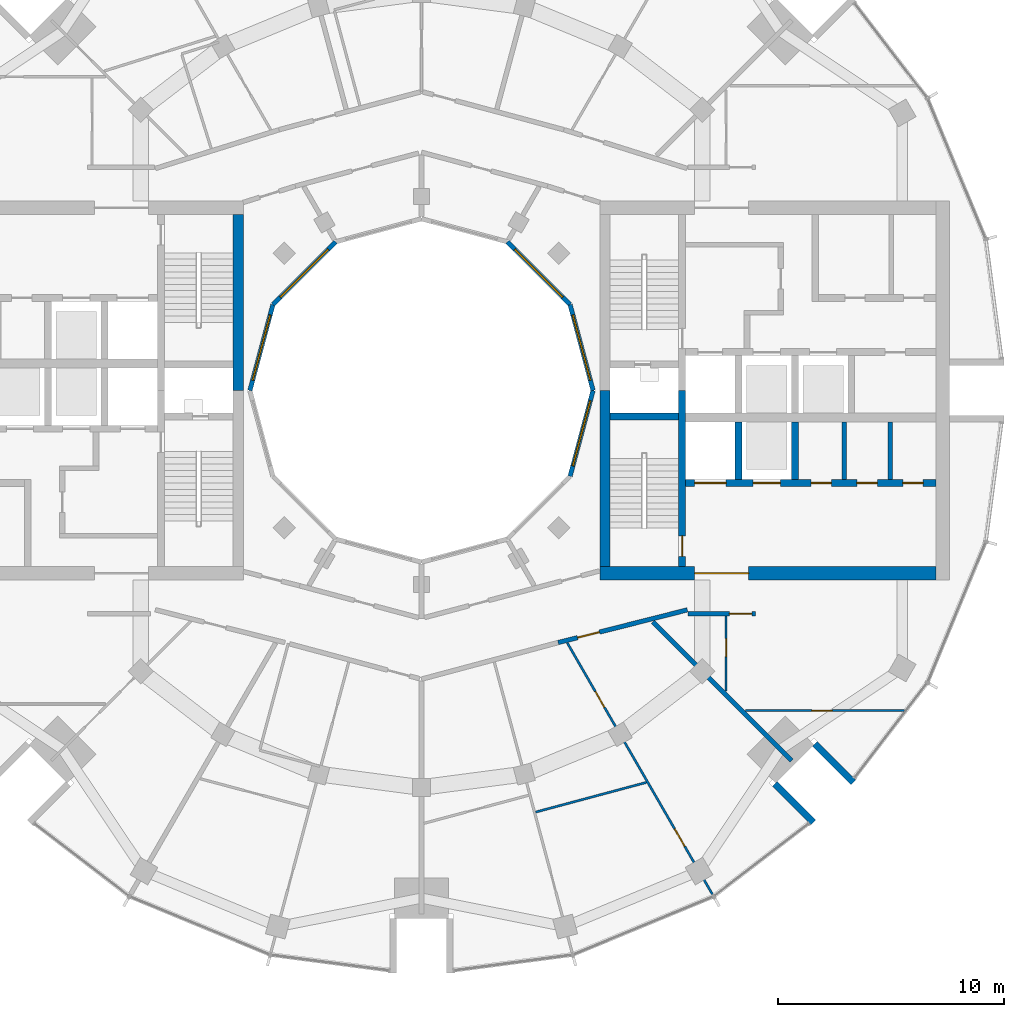
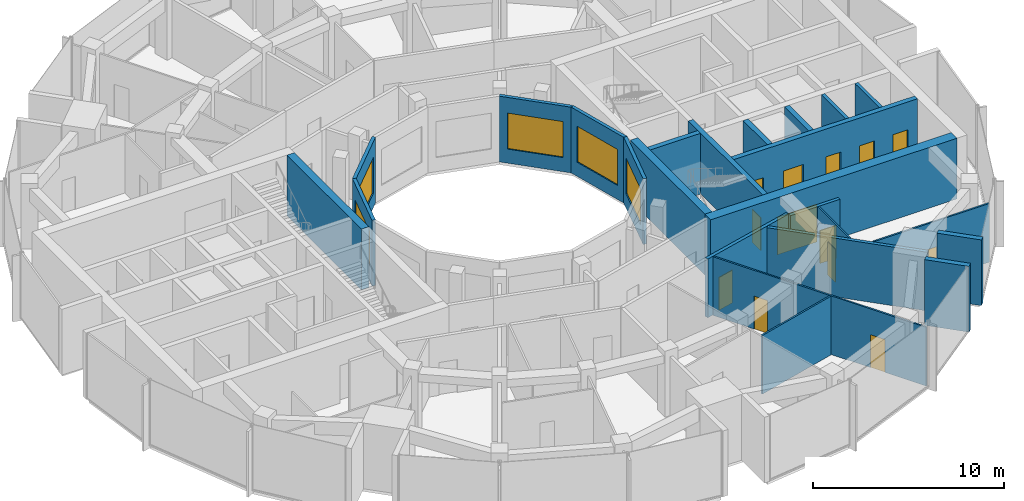
# One storey, part 10 of 15: 24 walls, 13 doors, 5 windows, 18 openings.
"""IFC4 building model written with IfcOpenShell, lengths in metres."""

from ifc_helpers import new_model, si_unit, direction, frame, frame_2d, origin, place, context, subcontext, project, spatial, rectangle, extrude, material, layer, layer_set, type_object, element, fill, save


model = new_model("IFC4")

# Units and contexts
model_context = context("Model", 3, precision=1e-05, world=origin(), true_north=direction((0.0, 1.0)))
body_context = subcontext(model_context, "Body", "Model", "MODEL_VIEW")
ifc_project = project(units=[si_unit("LENGTHUNIT", "METRE"), si_unit("AREAUNIT", "SQUARE_METRE"), si_unit("VOLUMEUNIT", "CUBIC_METRE"), si_unit("PLANEANGLEUNIT", "RADIAN"), si_unit("MASSUNIT", "GRAM", prefix="KILO")], contexts=[model_context])

# Site, building, storey
site_placement = place(None, origin())
site = spatial("IfcSite", under=ifc_project, at=site_placement, CompositionType="ELEMENT")
building_placement = place(site_placement, origin())
building = spatial("IfcBuilding", under=site, at=building_placement, Name="Torre Brocal", CompositionType="ELEMENT")
storey_placement = place(building_placement, frame((0.0, 0.0, 220.89990234375)))
storey = spatial("IfcBuildingStorey", under=building, at=storey_placement, Name="L51", CompositionType="ELEMENT", Elevation=220.89990234375)

# Walls
ifc_material_1 = material(Name="Masonry block", Category="masonry")
ifc_layer_1 = layer(ifc_material_1, 0.199951171875)
ifc_layer_set_1 = layer_set([ifc_layer_1], Name="Masonry block")
wall_type_1 = type_object("IfcWallType", Name="CORE PARTITION 200", PredefinedType="PARTITIONING", material=ifc_layer_set_1)
for number, where, z_axis, x_axis, name in (
    (1, (98.7333984375, 71.050048828125, 0.0), (0.0, 0.0, 1.0), (0.0, 1.0, 0.0), "Wall CP200"),
    (2, (100.7666015625, 71.050048828125, 0.0), (0.0, 0.0, 1.0), (0.0, 1.0, 0.0), "Wall CP200"),
):
    element("IfcWall", number, at=place(storey_placement, frame(where, z_axis=z_axis, x_axis=x_axis)), inside=storey, type_object=wall_type_1, Name=name, PredefinedType="PARTITIONING", context=body_context, shape_type="SweptSolid", body=[
        extrude(rectangle(XDim=2.550048828125, YDim=0.199951171875, at=frame_2d((1.27490234375, 0.0))), origin(), (0.0, 0.0, 1.0), 3.880126953125),
    ])

# Wall, opening, door
ifc_material_2 = material(Name="Concrete C60", Category="concrete")
ifc_layer_2 = layer(ifc_material_2, 0.300048828125)
ifc_layer_set_2 = layer_set([ifc_layer_2], Name="Concrete C60")
wall_type_2 = type_object("IfcWallType", Name="CORE WALL 300 C60", PredefinedType="SHEAR", material=ifc_layer_set_2)
wall_1_placement = place(storey_placement, frame((91.550048828125, 67.199951171875, 0.0), z_axis=(0.0, 0.0, 1.0), x_axis=(0.0, 1.0, 0.0)))
wall_1 = element("IfcWall", 3, at=wall_1_placement, inside=storey, type_object=wall_type_2, Name="Wall CW300-60", PredefinedType="SHEAR", context=body_context, shape_type="SweptSolid", body=[
    extrude(rectangle(XDim=7.800048828125, YDim=0.300048828125, at=frame_2d((3.89990234375, 0.0))), origin(), (0.0, 0.0, 1.0), 3.880126953125),
])
opening_1_placement = place(wall_1_placement, frame((0.449951171875, 0.0, 0.0)))
opening_1 = element("IfcOpeningElement", 4, at=opening_1_placement, cuts=wall_1, Name="Opening E-D03", PredefinedType="OPENING", context=body_context, shape_type="SweptSolid", body=[
    extrude(rectangle(XDim=0.89990234375, YDim=2.10009765625, at=frame_2d((0.449951171875, 1.050048828125))), frame((0.0, 0.159912109375, 0.0), z_axis=(0.0, -1.0, 0.0), x_axis=(1.0, 0.0, 0.0)), (0.0, 0.0, 1.0), 0.320068359375),
])
ifc_material_3 = material(Name="Steel A653", Category="steel")
door_type_1 = type_object("IfcDoorType", Name="STAIR DOOR FD120 900X2100", OperationType="SINGLE_SWING_RIGHT", PredefinedType="DOOR", material=ifc_material_3)
door_1_placement = place(opening_1_placement, origin())
door_1 = element("IfcDoor", 5, at=door_1_placement, inside=storey, type_object=door_type_1, Name="Door E-D03", OperationType="SINGLE_SWING_LEFT", OverallHeight=2.10009765625, OverallWidth=0.89990234375, PredefinedType="DOOR", context=body_context, shape_type="SweptSolid", body=[
    extrude(rectangle(XDim=0.89990234375, YDim=2.10009765625, at=frame_2d((0.449951171875, 1.050048828125))), frame((0.0, 0.02490234375, 0.0), z_axis=(0.0, -1.0, 0.0), x_axis=(1.0, 0.0, 0.0)), (0.0, 0.0, 1.0), 0.050048828125),
])
fill(opening_1, door_1)

# Wall
wall_2_placement = place(storey_placement, frame((88.35009765625, 73.85009765625, 0.0), z_axis=(0.0, 0.0, 1.0), x_axis=(1.0, 0.0, 0.0)))
element("IfcWall", 6, at=wall_2_placement, inside=storey, type_object=wall_type_2, Name="Wall CW300-60", PredefinedType="SHEAR", context=body_context, shape_type="SweptSolid", body=[
    extrude(rectangle(XDim=3.0498046875, YDim=0.300048828125, at=frame_2d((1.52490234375, 0.0))), origin(), (0.0, 0.0, 1.0), 3.880126953125),
])

# Wall, openings, doors
wall_3_placement = place(storey_placement, frame((91.699951171875, 70.89990234375, 0.0), z_axis=(0.0, 0.0, 1.0), x_axis=(1.0, 0.0, 0.0)))
wall_3 = element("IfcWall", 7, at=wall_3_placement, inside=storey, type_object=wall_type_2, Name="Wall CW300-60", PredefinedType="SHEAR", context=body_context, shape_type="SweptSolid", body=[
    extrude(rectangle(XDim=11.10009765625, YDim=0.300048828125, at=frame_2d((5.550048828125, 0.0))), origin(), (0.0, 0.0, 1.0), 3.880126953125),
])
opening_2_placement = place(wall_3_placement, frame((0.39990234375, 0.0, 0.0)))
opening_2 = element("IfcOpeningElement", 8, at=opening_2_placement, cuts=wall_3, Name="Opening LD14", PredefinedType="OPENING", context=body_context, shape_type="SweptSolid", body=[
    extrude(rectangle(XDim=1.39990234375, YDim=2.10009765625, at=frame_2d((0.699951171875, 1.050048828125))), frame((0.0, 0.159912109375, 0.0), z_axis=(0.0, -1.0, 0.0), x_axis=(1.0, 0.0, 0.0)), (0.0, 0.0, 1.0), 0.320068359375),
])
opening_3_placement = place(wall_3_placement, frame((3.0, 0.0, 0.0)))
opening_3 = element("IfcOpeningElement", 9, at=opening_3_placement, cuts=wall_3, Name="Opening LD12", PredefinedType="OPENING", context=body_context, shape_type="SweptSolid", body=[
    extrude(rectangle(XDim=1.199951171875, YDim=2.10009765625, at=frame_2d((0.60009765625, 1.050048828125))), frame((0.0, 0.159912109375, 0.0), z_axis=(0.0, -1.0, 0.0), x_axis=(1.0, 0.0, 0.0)), (0.0, 0.0, 1.0), 0.320068359375),
])
opening_4_placement = place(wall_3_placement, frame((5.566650390625, 0.0, 0.0)))
opening_4 = element("IfcOpeningElement", 10, at=opening_4_placement, cuts=wall_3, Name="Opening E-D05", PredefinedType="OPENING", context=body_context, shape_type="SweptSolid", body=[
    extrude(rectangle(XDim=0.89990234375, YDim=2.10009765625, at=frame_2d((0.449951171875, 1.050048828125))), frame((0.0, 0.159912109375, 0.0), z_axis=(0.0, -1.0, 0.0), x_axis=(1.0, 0.0, 0.0)), (0.0, 0.0, 1.0), 0.320068359375),
])
opening_5_placement = place(wall_3_placement, frame((7.60009765625, 0.0, 0.0)))
opening_5 = element("IfcOpeningElement", 11, at=opening_5_placement, cuts=wall_3, Name="Opening E-D06", PredefinedType="OPENING", context=body_context, shape_type="SweptSolid", body=[
    extrude(rectangle(XDim=0.89990234375, YDim=2.10009765625, at=frame_2d((0.449951171875, 1.050048828125))), frame((0.0, 0.159912109375, 0.0), z_axis=(0.0, -1.0, 0.0), x_axis=(1.0, 0.0, 0.0)), (0.0, 0.0, 1.0), 0.320068359375),
])
opening_6_placement = place(wall_3_placement, frame((9.63330078125, 0.0, 0.0)))
opening_6 = element("IfcOpeningElement", 12, at=opening_6_placement, cuts=wall_3, Name="Opening E-D07", PredefinedType="OPENING", context=body_context, shape_type="SweptSolid", body=[
    extrude(rectangle(XDim=0.89990234375, YDim=2.10009765625, at=frame_2d((0.449951171875, 1.050048828125))), frame((0.0, 0.159912109375, 0.0), z_axis=(0.0, -1.0, 0.0), x_axis=(1.0, 0.0, 0.0)), (0.0, 0.0, 1.0), 0.320068359375),
])
ifc_material_4 = material(Name="Stainless steel AISI 316", Category="steel")
door_type_2 = type_object("IfcDoorType", Name="LIFT LANDING DOOR 1200X2100", OperationType="DOUBLE_DOOR_SLIDING", PredefinedType="DOOR", material=ifc_material_4)
door_2_placement = place(opening_3_placement, origin())
door_2 = element("IfcDoor", 13, at=door_2_placement, inside=storey, type_object=door_type_2, Name="Door LD12", OperationType="DOUBLE_DOOR_SLIDING", OverallHeight=2.10009765625, OverallWidth=1.199951171875, PredefinedType="DOOR", context=body_context, shape_type="SweptSolid", body=[
    extrude(rectangle(XDim=1.199951171875, YDim=2.10009765625, at=frame_2d((0.60009765625, 1.050048828125))), frame((0.0, 0.02490234375, 0.0), z_axis=(0.0, -1.0, 0.0), x_axis=(1.0, 0.0, 0.0)), (0.0, 0.0, 1.0), 0.050048828125),
])
fill(opening_3, door_2)
ifc_material_5 = material(Name="Stainless steel AISI 316", Category="steel")
door_type_3 = type_object("IfcDoorType", Name="LIFT LANDING DOOR 1400X2100", OperationType="DOUBLE_DOOR_SLIDING", PredefinedType="DOOR", material=ifc_material_5)
door_3_placement = place(opening_2_placement, origin())
door_3 = element("IfcDoor", 14, at=door_3_placement, inside=storey, type_object=door_type_3, Name="Door LD14", OperationType="DOUBLE_DOOR_SLIDING", OverallHeight=2.10009765625, OverallWidth=1.39990234375, PredefinedType="DOOR", context=body_context, shape_type="SweptSolid", body=[
    extrude(rectangle(XDim=1.39990234375, YDim=2.10009765625, at=frame_2d((0.699951171875, 1.050048828125))), frame((0.0, 0.02490234375, 0.0), z_axis=(0.0, -1.0, 0.0), x_axis=(1.0, 0.0, 0.0)), (0.0, 0.0, 1.0), 0.050048828125),
])
fill(opening_2, door_3)
ifc_material_6 = material(Name="Steel A653", Category="steel")
door_type_4 = type_object("IfcDoorType", Name="ROOM DOOR FD30S 900X2100", OperationType="SINGLE_SWING_LEFT", PredefinedType="DOOR", material=ifc_material_6)
door_4_placement = place(opening_4_placement, origin())
door_4 = element("IfcDoor", 15, at=door_4_placement, inside=storey, type_object=door_type_4, Name="Door E-D05", OperationType="SINGLE_SWING_RIGHT", OverallHeight=2.10009765625, OverallWidth=0.89990234375, PredefinedType="DOOR", context=body_context, shape_type="SweptSolid", body=[
    extrude(rectangle(XDim=0.89990234375, YDim=2.10009765625, at=frame_2d((0.449951171875, 1.050048828125))), frame((0.0, 0.02490234375, 0.0), z_axis=(0.0, -1.0, 0.0), x_axis=(1.0, 0.0, 0.0)), (0.0, 0.0, 1.0), 0.050048828125),
])
fill(opening_4, door_4)
door_5_placement = place(opening_5_placement, origin())
door_5 = element("IfcDoor", 16, at=door_5_placement, inside=storey, type_object=door_type_4, Name="Door E-D06", OperationType="SINGLE_SWING_RIGHT", OverallHeight=2.10009765625, OverallWidth=0.89990234375, PredefinedType="DOOR", context=body_context, shape_type="SweptSolid", body=[
    extrude(rectangle(XDim=0.89990234375, YDim=2.10009765625, at=frame_2d((0.449951171875, 1.050048828125))), frame((0.0, 0.02490234375, 0.0), z_axis=(0.0, -1.0, 0.0), x_axis=(1.0, 0.0, 0.0)), (0.0, 0.0, 1.0), 0.050048828125),
])
fill(opening_5, door_5)
door_6_placement = place(opening_6_placement, origin())
door_6 = element("IfcDoor", 17, at=door_6_placement, inside=storey, type_object=door_type_4, Name="Door E-D07", OperationType="SINGLE_SWING_LEFT", OverallHeight=2.10009765625, OverallWidth=0.89990234375, PredefinedType="DOOR", context=body_context, shape_type="SweptSolid", body=[
    extrude(rectangle(XDim=0.89990234375, YDim=2.10009765625, at=frame_2d((0.449951171875, 1.050048828125))), frame((0.0, 0.02490234375, 0.0), z_axis=(0.0, -1.0, 0.0), x_axis=(1.0, 0.0, 0.0)), (0.0, 0.0, 1.0), 0.050048828125),
])
fill(opening_6, door_6)

# Walls
for number, where, z_axis, x_axis, name in (
    (18, (94.050048828125, 71.050048828125, 0.0), (0.0, 0.0, 1.0), (0.0, 1.0, 0.0), "Wall CW300-60"),
    (19, (96.550048828125, 71.050048828125, 0.0), (0.0, 0.0, 1.0), (0.0, 1.0, 0.0), "Wall CW300-60"),
):
    element("IfcWall", number, at=place(storey_placement, frame(where, z_axis=z_axis, x_axis=x_axis)), inside=storey, type_object=wall_type_2, Name=name, PredefinedType="SHEAR", context=body_context, shape_type="SweptSolid", body=[
        extrude(rectangle(XDim=2.550048828125, YDim=0.300048828125, at=frame_2d((1.27490234375, 0.0))), origin(), (0.0, 0.0, 1.0), 3.880126953125),
    ])
ifc_material_7 = material(Name="Concrete C60", Category="concrete")
ifc_layer_3 = layer(ifc_material_7, 0.449951171875)
ifc_layer_set_3 = layer_set([ifc_layer_3], Name="Concrete C60")
wall_type_3 = type_object("IfcWallType", Name="CORE WALL 450 C60", PredefinedType="SHEAR", material=ifc_layer_set_3)
for number, where, z_axis, x_axis, name in (
    (20, (88.125, 67.199951171875, 0.0), (0.0, 0.0, 1.0), (0.0, 1.0, 0.0), "Wall CW450-60"),
    (21, (71.875, 82.800048828125, 0.0), (0.0, 0.0, 1.0), (0.0, -1.0, 0.0), "Wall CW450-60"),
):
    element("IfcWall", number, at=place(storey_placement, frame(where, z_axis=z_axis, x_axis=x_axis)), inside=storey, type_object=wall_type_3, Name=name, PredefinedType="SHEAR", context=body_context, shape_type="SweptSolid", body=[
        extrude(rectangle(XDim=7.800048828125, YDim=0.449951171875, at=frame_2d((3.89990234375, 0.0))), origin(), (0.0, 0.0, 1.0), 3.880126953125),
    ])

# Wall, opening, door
ifc_material_8 = material(Name="Concrete C60", Category="concrete")
ifc_layer_4 = layer(ifc_material_8, 0.60009765625)
ifc_layer_set_4 = layer_set([ifc_layer_4], Name="Concrete C60")
wall_type_4 = type_object("IfcWallType", Name="CORE WALL 600 C60", PredefinedType="SHEAR", material=ifc_layer_set_4)
wall_4_placement = place(storey_placement, frame((87.89990234375, 66.89990234375, 0.0), z_axis=(0.0, 0.0, 1.0), x_axis=(1.0, 0.0, 0.0)))
wall_4 = element("IfcWall", 22, at=wall_4_placement, inside=storey, type_object=wall_type_4, Name="Wall CW600-60", PredefinedType="SHEAR", context=body_context, shape_type="SweptSolid", body=[
    extrude(rectangle(XDim=14.900146484375, YDim=0.60009765625, at=frame_2d((7.4501953125, 0.0))), origin(), (0.0, 0.0, 1.0), 3.880126953125),
])
opening_7_placement = place(wall_4_placement, frame((4.199951171875, 0.0, 0.0)))
opening_7 = element("IfcOpeningElement", 23, at=opening_7_placement, cuts=wall_4, Name="Opening E-D12", PredefinedType="OPENING", context=body_context, shape_type="SweptSolid", body=[
    extrude(rectangle(XDim=2.39990234375, YDim=2.39990234375, at=frame_2d((1.199951171875, 1.199951171875))), frame((0.0, 0.31005859375, 0.0), z_axis=(0.0, -1.0, 0.0), x_axis=(1.0, 0.0, 0.0)), (0.0, 0.0, 1.0), 0.6201171875),
])
ifc_material_9 = material(Name="Steel A653", Category="steel")
door_type_5 = type_object("IfcDoorType", Name="DOUBLE FIRE DOOR FD90 2400X2400", OperationType="DOUBLE_DOOR_SINGLE_SWING", PredefinedType="DOOR", material=ifc_material_9)
door_7_placement = place(opening_7_placement, origin())
door_7 = element("IfcDoor", 24, at=door_7_placement, inside=storey, type_object=door_type_5, Name="Door E-D12", OperationType="DOUBLE_DOOR_SINGLE_SWING", OverallHeight=2.39990234375, OverallWidth=2.39990234375, PredefinedType="DOOR", context=body_context, shape_type="SweptSolid", body=[
    extrude(rectangle(XDim=2.39990234375, YDim=2.39990234375, at=frame_2d((1.199951171875, 1.199951171875))), frame((0.0, 0.02490234375, 0.0), z_axis=(0.0, -1.0, 0.0), x_axis=(1.0, 0.0, 0.0)), (0.0, 0.0, 1.0), 0.050048828125),
])
fill(opening_7, door_7)

# Walls
ifc_material_10 = material(Name="Concrete C60", Category="concrete")
ifc_layer_5 = layer(ifc_material_10, 0.300048828125)
ifc_layer_set_5 = layer_set([ifc_layer_5], Name="Concrete C60")
wall_type_5 = type_object("IfcWallType", Name="NOTCH RETURN WALL 300 C60", PredefinedType="NOTDEFINED", material=ifc_layer_set_5)
for number, where, z_axis, x_axis, name in (
    (25, (95.662353515625, 57.56982421875, 0.0), (0.0, 0.0, 1.0), (0.707106781187, -0.707106781187, 0.0), "NOTCH RETURN WALL"),
    (26, (97.43017578125, 59.337646484375, 0.0), (0.0, 0.0, 1.0), (0.707106781187, -0.707106781187, 0.0), "NOTCH RETURN WALL"),
):
    element("IfcWall", number, at=place(storey_placement, frame(where, z_axis=z_axis, x_axis=x_axis)), inside=storey, type_object=wall_type_5, Name=name, PredefinedType="NOTDEFINED", context=body_context, shape_type="SweptSolid", body=[
        extrude(rectangle(XDim=2.415771484375, YDim=0.300048828125, at=frame_2d((1.2080078125, 0.0))), origin(), (0.0, 0.0, 1.0), 4.2001953125),
    ])
ifc_material_11 = material(Name="Gypsum board", Category="Gypsum")
ifc_layer_6 = layer(ifc_material_11, 0.10009765625)
ifc_layer_set_6 = layer_set([ifc_layer_6], Name="Gypsum board")
wall_type_6 = type_object("IfcWallType", Name="PARTITION 100", PredefinedType="PARTITIONING", material=ifc_layer_set_6)
wall_5_placement = place(storey_placement, frame((85.059326171875, 56.31298828125, 0.0), z_axis=(0.0, 0.0, 1.0), x_axis=(0.965911776939, 0.2588714723, 0.0)))
element("IfcWall", 27, at=wall_5_placement, inside=storey, type_object=wall_type_6, Name="BATHROOM WALL", PredefinedType="PARTITIONING", context=body_context, shape_type="SweptSolid", body=[
    extrude(rectangle(XDim=5.07763671875, YDim=0.10009765625, at=frame_2d((2.538818359375, 0.0))), origin(), (0.0, 0.0, 1.0), 3.75),
])

# Wall, openings, doors
wall_6_placement = place(storey_placement, frame((86.46142578125, 63.810302734375, 0.0), z_axis=(0.0, 0.0, 1.0), x_axis=(0.499925973464, -0.866068138806, 0.0)))
wall_6 = element("IfcWall", 28, at=wall_6_placement, inside=storey, type_object=wall_type_6, Name="BATHROOM WALL", PredefinedType="PARTITIONING", context=body_context, shape_type="SweptSolid", body=[
    extrude(rectangle(XDim=12.87646484375, YDim=0.10009765625, at=frame_2d((6.438232421875, 0.0))), origin(), (0.0, 0.0, 1.0), 3.75),
])
opening_8_placement = place(wall_6_placement, frame((9.513671875, 0.0, 0.0)))
opening_8 = element("IfcOpeningElement", 29, at=opening_8_placement, cuts=wall_6, Name="Opening B02-D26", PredefinedType="OPENING", context=body_context, shape_type="SweptSolid", body=[
    extrude(rectangle(XDim=0.89990234375, YDim=2.10009765625, at=frame_2d((0.449951171875, 1.050048828125))), frame((0.0, 0.06005859375, 0.0), z_axis=(0.0, -1.0, 0.0), x_axis=(1.0, 0.0, 0.0)), (0.0, 0.0, 1.0), 0.1201171875),
])
opening_9_placement = place(wall_6_placement, frame((2.493896484375, 0.0, 0.0)))
opening_9 = element("IfcOpeningElement", 30, at=opening_9_placement, cuts=wall_6, Name="Opening B02-D27", PredefinedType="OPENING", context=body_context, shape_type="SweptSolid", body=[
    extrude(rectangle(XDim=0.800048828125, YDim=2.10009765625, at=frame_2d((0.39990234375, 1.050048828125))), frame((0.0, 0.06005859375, 0.0), z_axis=(0.0, -1.0, 0.0), x_axis=(1.0, 0.0, 0.0)), (0.0, 0.0, 1.0), 0.1201171875),
])
ifc_material_12 = material(Name="Timber", Category="wood")
door_type_6 = type_object("IfcDoorType", Name="BATHROOM DOOR 800X2100", OperationType="SINGLE_SWING_LEFT", PredefinedType="DOOR", material=ifc_material_12)
door_8_placement = place(opening_9_placement, frame((0.800048828125, 0.0, 0.0), z_axis=(0.0, 0.0, 1.0), x_axis=(-1.0, 0.0, 0.0)))
door_8 = element("IfcDoor", 31, at=door_8_placement, inside=storey, type_object=door_type_6, Name="B02-D27", OperationType="SINGLE_SWING_RIGHT", OverallHeight=2.10009765625, OverallWidth=0.800048828125, PredefinedType="DOOR", context=body_context, shape_type="SweptSolid", body=[
    extrude(rectangle(XDim=0.800048828125, YDim=2.10009765625, at=frame_2d((0.39990234375, 1.050048828125))), frame((0.0, 0.02490234375, 0.0), z_axis=(0.0, -1.0, 0.0), x_axis=(1.0, 0.0, 0.0)), (0.0, 0.0, 1.0), 0.050048828125),
])
fill(opening_9, door_8)
ifc_material_13 = material(Name="Timber", Category="wood")
door_type_7 = type_object("IfcDoorType", Name="ROOM DOOR 900X2100", OperationType="SINGLE_SWING_LEFT", PredefinedType="DOOR", material=ifc_material_13)
door_9_placement = place(opening_8_placement, origin())
door_9 = element("IfcDoor", 32, at=door_9_placement, inside=storey, type_object=door_type_7, Name="B02-D26", OperationType="SINGLE_SWING_RIGHT", OverallHeight=2.10009765625, OverallWidth=0.89990234375, PredefinedType="DOOR", context=body_context, shape_type="SweptSolid", body=[
    extrude(rectangle(XDim=0.89990234375, YDim=2.10009765625, at=frame_2d((0.449951171875, 1.050048828125))), frame((0.0, 0.02490234375, 0.0), z_axis=(0.0, -1.0, 0.0), x_axis=(1.0, 0.0, 0.0)), (0.0, 0.0, 1.0), 0.050048828125),
])
fill(opening_8, door_9)

# Wall, opening, door
wall_7_placement = place(storey_placement, frame((93.5, 61.679931640625, 0.0), z_axis=(0.0, 0.0, 1.0), x_axis=(0.0, 1.0, 0.0)))
wall_7 = element("IfcWall", 33, at=wall_7_placement, inside=storey, type_object=wall_type_6, Name="BATHROOM WALL", PredefinedType="PARTITIONING", context=body_context, shape_type="SweptSolid", body=[
    extrude(rectangle(XDim=3.320068359375, YDim=0.10009765625, at=frame_2d((1.66015625, 0.0))), origin(), (0.0, 0.0, 1.0), 3.75),
])
opening_10_placement = place(wall_7_placement, frame((1.52001953125, 0.0, 0.0)))
opening_10 = element("IfcOpeningElement", 34, at=opening_10_placement, cuts=wall_7, Name="Opening B02-D24", PredefinedType="OPENING", context=body_context, shape_type="SweptSolid", body=[
    extrude(rectangle(XDim=0.800048828125, YDim=2.10009765625, at=frame_2d((0.39990234375, 1.050048828125))), frame((0.0, 0.06005859375, 0.0), z_axis=(0.0, -1.0, 0.0), x_axis=(1.0, 0.0, 0.0)), (0.0, 0.0, 1.0), 0.1201171875),
])
door_10_placement = place(opening_10_placement, origin())
door_10 = element("IfcDoor", 35, at=door_10_placement, inside=storey, type_object=door_type_6, Name="B02-D24", OperationType="SINGLE_SWING_RIGHT", OverallHeight=2.10009765625, OverallWidth=0.800048828125, PredefinedType="DOOR", context=body_context, shape_type="SweptSolid", body=[
    extrude(rectangle(XDim=0.800048828125, YDim=2.10009765625, at=frame_2d((0.39990234375, 1.050048828125))), frame((0.0, 0.02490234375, 0.0), z_axis=(0.0, -1.0, 0.0), x_axis=(1.0, 0.0, 0.0)), (0.0, 0.0, 1.0), 0.050048828125),
])
fill(opening_10, door_10)

wall_8_placement = place(storey_placement, frame((94.367919921875, 60.81201171875, 0.0), z_axis=(0.0, 0.0, 1.0), x_axis=(1.0, 0.0, 0.0)))
wall_8 = element("IfcWall", 36, at=wall_8_placement, inside=storey, type_object=wall_type_6, Name="ROOM PARTITION", PredefinedType="PARTITIONING", context=body_context, shape_type="SweptSolid", body=[
    extrude(rectangle(XDim=7.031982421875, YDim=0.10009765625, at=frame_2d((3.51611328125, 0.0))), origin(), (0.0, 0.0, 1.0), 3.75),
])
opening_11_placement = place(wall_8_placement, frame((2.927490234375, 0.0, 0.0)))
opening_11 = element("IfcOpeningElement", 37, at=opening_11_placement, cuts=wall_8, Name="Opening B02-D22", PredefinedType="OPENING", context=body_context, shape_type="SweptSolid", body=[
    extrude(rectangle(XDim=0.89990234375, YDim=2.10009765625, at=frame_2d((0.449951171875, 1.050048828125))), frame((0.0, 0.06005859375, 0.0), z_axis=(0.0, -1.0, 0.0), x_axis=(1.0, 0.0, 0.0)), (0.0, 0.0, 1.0), 0.1201171875),
])
door_11_placement = place(opening_11_placement, frame((0.89990234375, 0.0, 0.0), z_axis=(0.0, 0.0, 1.0), x_axis=(-1.0, 0.0, 0.0)))
door_11 = element("IfcDoor", 38, at=door_11_placement, inside=storey, type_object=door_type_7, Name="B02-D22", OperationType="SINGLE_SWING_RIGHT", OverallHeight=2.10009765625, OverallWidth=0.89990234375, PredefinedType="DOOR", context=body_context, shape_type="SweptSolid", body=[
    extrude(rectangle(XDim=0.89990234375, YDim=2.10009765625, at=frame_2d((0.449951171875, 1.050048828125))), frame((0.0, 0.02490234375, 0.0), z_axis=(0.0, -1.0, 0.0), x_axis=(1.0, 0.0, 0.0)), (0.0, 0.0, 1.0), 0.050048828125),
])
fill(opening_11, door_11)

ifc_material_14 = material(Name="Gypsum board", Category="Gypsum")
ifc_layer_7 = layer(ifc_material_14, 0.199951171875)
ifc_layer_set_7 = layer_set([ifc_layer_7], Name="Gypsum board")
wall_type_7 = type_object("IfcWallType", Name="PARTITION 200 EI60", PredefinedType="PARTITIONING", material=ifc_layer_set_7)
wall_9_placement = place(storey_placement, frame((86.052978515625, 63.826171875, 0.0), z_axis=(0.0, 0.0, 1.0), x_axis=(0.969490004987, 0.245130843083, 0.0)))
wall_9 = element("IfcWall", 39, at=wall_9_placement, inside=storey, type_object=wall_type_7, Name="FLAT ENTRANCE WALL", PredefinedType="PARTITIONING", context=body_context, shape_type="SweptSolid", body=[
    extrude(rectangle(XDim=5.907958984375, YDim=0.199951171875, at=frame_2d((2.9541015625, 0.0))), origin(), (0.0, 0.0, 1.0), 3.75),
])
opening_12_placement = place(wall_9_placement, frame((0.889404296875, 0.0, 0.0)))
opening_12 = element("IfcOpeningElement", 40, at=opening_12_placement, cuts=wall_9, Name="Opening B02-D25", PredefinedType="OPENING", context=body_context, shape_type="SweptSolid", body=[
    extrude(rectangle(XDim=1.0, YDim=2.10009765625, at=frame_2d((0.5, 1.050048828125))), frame((0.0, 0.10986328125, 0.0), z_axis=(0.0, -1.0, 0.0), x_axis=(1.0, 0.0, 0.0)), (0.0, 0.0, 1.0), 0.219970703125),
])
ifc_material_15 = material(Name="Timber", Category="wood")
door_type_8 = type_object("IfcDoorType", Name="FLAT ENTRY DOOR FD30S 1000X2100", OperationType="SINGLE_SWING_RIGHT", PredefinedType="DOOR", material=ifc_material_15)
door_12_placement = place(opening_12_placement, frame((1.0, 0.0, 0.0), z_axis=(0.0, 0.0, 1.0), x_axis=(-1.0, 0.0, 0.0)))
door_12 = element("IfcDoor", 41, at=door_12_placement, inside=storey, type_object=door_type_8, Name="B02-D25", OperationType="SINGLE_SWING_RIGHT", OverallHeight=2.10009765625, OverallWidth=1.0, PredefinedType="DOOR", context=body_context, shape_type="SweptSolid", body=[
    extrude(rectangle(XDim=1.0, YDim=2.10009765625, at=frame_2d((0.5, 1.050048828125))), frame((0.0, 0.02490234375, 0.0), z_axis=(0.0, -1.0, 0.0), x_axis=(1.0, 0.0, 0.0)), (0.0, 0.0, 1.0), 0.050048828125),
])
fill(opening_12, door_12)

# Wall
wall_10_placement = place(storey_placement, frame((90.26025390625, 64.73974609375, 0.0), z_axis=(0.0, 0.0, 1.0), x_axis=(0.707106781187, -0.707106781187, 0.0)))
element("IfcWall", 42, at=wall_10_placement, inside=storey, type_object=wall_type_7, Name="BATHROOM WALL", PredefinedType="PARTITIONING", context=body_context, shape_type="SweptSolid", body=[
    extrude(rectangle(XDim=8.689697265625, YDim=0.199951171875, at=frame_2d((4.3447265625, 0.0))), origin(), (0.0, 0.0, 1.0), 3.75),
])

# Wall, opening, door
wall_11_placement = place(storey_placement, frame((91.800048828125, 65.10009765625, 0.0), z_axis=(0.0, 0.0, 1.0), x_axis=(1.0, 0.0, 0.0)))
wall_11 = element("IfcWall", 43, at=wall_11_placement, inside=storey, type_object=wall_type_7, Name="FLAT ENTRANCE WALL", PredefinedType="PARTITIONING", context=body_context, shape_type="SweptSolid", body=[
    extrude(rectangle(XDim=3.0, YDim=0.199951171875, at=frame_2d((1.5, 0.0))), origin(), (0.0, 0.0, 1.0), 3.75),
])
opening_13_placement = place(wall_11_placement, frame((1.840087890625, 0.0, 0.0)))
opening_13 = element("IfcOpeningElement", 44, at=opening_13_placement, cuts=wall_11, Name="Opening B02-D23", PredefinedType="OPENING", context=body_context, shape_type="SweptSolid", body=[
    extrude(rectangle(XDim=1.0, YDim=2.10009765625, at=frame_2d((0.5, 1.050048828125))), frame((0.0, 0.10986328125, 0.0), z_axis=(0.0, -1.0, 0.0), x_axis=(1.0, 0.0, 0.0)), (0.0, 0.0, 1.0), 0.219970703125),
])
door_13_placement = place(opening_13_placement, frame((1.0, 0.0, 0.0), z_axis=(0.0, 0.0, 1.0), x_axis=(-1.0, 0.0, 0.0)))
door_13 = element("IfcDoor", 45, at=door_13_placement, inside=storey, type_object=door_type_8, Name="B02-D23", OperationType="SINGLE_SWING_RIGHT", OverallHeight=2.10009765625, OverallWidth=1.0, PredefinedType="DOOR", context=body_context, shape_type="SweptSolid", body=[
    extrude(rectangle(XDim=1.0, YDim=2.10009765625, at=frame_2d((0.5, 1.050048828125))), frame((0.0, 0.02490234375, 0.0), z_axis=(0.0, -1.0, 0.0), x_axis=(1.0, 0.0, 0.0)), (0.0, 0.0, 1.0), 0.050048828125),
])
fill(opening_13, door_13)

# Wall, opening, window
ifc_material_16 = material(Name="Concrete C40", Category="concrete")
ifc_layer_8 = layer(ifc_material_16, 0.199951171875)
ifc_layer_set_8 = layer_set([ifc_layer_8], Name="Concrete C40")
wall_type_8 = type_object("IfcWallType", Name="WELL FACADE WALL 200", PredefinedType="NOTDEFINED", material=ifc_layer_set_8)
wall_12_placement = place(storey_placement, frame((87.603515625, 75.0, 0.0), z_axis=(0.0, 0.0, 1.0), x_axis=(-0.258789828301, 0.965933654434, 0.0)))
wall_12 = element("IfcWall", 46, at=wall_12_placement, inside=storey, type_object=wall_type_8, Name="WELL FACADE WALL", PredefinedType="NOTDEFINED", context=body_context, shape_type="SweptSolid", body=[
    extrude(rectangle(XDim=3.935791015625, YDim=0.199951171875, at=frame_2d((1.9677734375, 0.0))), origin(), (0.0, 0.0, 1.0), 4.2001953125),
])
opening_14_placement = place(wall_12_placement, frame((0.468017578125, 0.0, 0.89990234375)))
opening_14 = element("IfcOpeningElement", 47, at=opening_14_placement, cuts=wall_12, Name="Opening W1", PredefinedType="OPENING", context=body_context, shape_type="SweptSolid", body=[
    extrude(rectangle(XDim=3.0, YDim=2.300048828125, at=frame_2d((1.5, 1.14990234375))), frame((0.0, 0.10986328125, 0.0), z_axis=(0.0, -1.0, 0.0), x_axis=(1.0, 0.0, 0.0)), (0.0, 0.0, 1.0), 0.219970703125),
])
ifc_material_17 = material(Name="Aluminium and glass", Category="aluminium")
window_type = type_object("IfcWindowType", Name="WELL WINDOW 3000X2300", PartitioningType="SINGLE_PANEL", PredefinedType="WINDOW", material=ifc_material_17)
window_1_placement = place(opening_14_placement, origin())
window_1 = element("IfcWindow", 48, at=window_1_placement, inside=storey, type_object=window_type, Name="WELL WINDOW 3000X2300", OverallHeight=2.300048828125, OverallWidth=3.0, PartitioningType="SINGLE_PANEL", PredefinedType="WINDOW", context=body_context, shape_type="SweptSolid", body=[
    extrude(rectangle(XDim=3.0, YDim=2.300048828125, at=frame_2d((1.5, 1.14990234375))), frame((0.0, 0.030029296875, 0.0), z_axis=(0.0, -1.0, 0.0), x_axis=(1.0, 0.0, 0.0)), (0.0, 0.0, 1.0), 0.06005859375),
])
fill(opening_14, window_1)

wall_13_placement = place(storey_placement, frame((86.5849609375, 78.8017578125, 0.0), z_axis=(0.0, 0.0, 1.0), x_axis=(-0.707106781187, 0.707106781187, 0.0)))
wall_13 = element("IfcWall", 49, at=wall_13_placement, inside=storey, type_object=wall_type_8, Name="WELL FACADE WALL", PredefinedType="NOTDEFINED", context=body_context, shape_type="SweptSolid", body=[
    extrude(rectangle(XDim=3.93603515625, YDim=0.199951171875, at=frame_2d((1.968017578125, 0.0))), origin(), (0.0, 0.0, 1.0), 4.2001953125),
])
opening_15_placement = place(wall_13_placement, frame((0.468017578125, 0.0, 0.89990234375)))
opening_15 = element("IfcOpeningElement", 50, at=opening_15_placement, cuts=wall_13, Name="Opening W1", PredefinedType="OPENING", context=body_context, shape_type="SweptSolid", body=[
    extrude(rectangle(XDim=3.0, YDim=2.300048828125, at=frame_2d((1.5, 1.14990234375))), frame((0.0, 0.10986328125, 0.0), z_axis=(0.0, -1.0, 0.0), x_axis=(1.0, 0.0, 0.0)), (0.0, 0.0, 1.0), 0.219970703125),
])
window_2_placement = place(opening_15_placement, origin())
window_2 = element("IfcWindow", 51, at=window_2_placement, inside=storey, type_object=window_type, Name="WELL WINDOW 3000X2300", OverallHeight=2.300048828125, OverallWidth=3.0, PartitioningType="SINGLE_PANEL", PredefinedType="WINDOW", context=body_context, shape_type="SweptSolid", body=[
    extrude(rectangle(XDim=3.0, YDim=2.300048828125, at=frame_2d((1.5, 1.14990234375))), frame((0.0, 0.030029296875, 0.0), z_axis=(0.0, -1.0, 0.0), x_axis=(1.0, 0.0, 0.0)), (0.0, 0.0, 1.0), 0.06005859375),
])
fill(opening_15, window_2)

wall_14_placement = place(storey_placement, frame((76.1982421875, 81.5849609375, 0.0), z_axis=(0.0, 0.0, 1.0), x_axis=(-0.707106781187, -0.707106781187, 0.0)))
wall_14 = element("IfcWall", 52, at=wall_14_placement, inside=storey, type_object=wall_type_8, Name="WELL FACADE WALL", PredefinedType="NOTDEFINED", context=body_context, shape_type="SweptSolid", body=[
    extrude(rectangle(XDim=3.93603515625, YDim=0.199951171875, at=frame_2d((1.968017578125, 0.0))), origin(), (0.0, 0.0, 1.0), 4.2001953125),
])
opening_16_placement = place(wall_14_placement, frame((0.468017578125, 0.0, 0.89990234375)))
opening_16 = element("IfcOpeningElement", 53, at=opening_16_placement, cuts=wall_14, Name="Opening W1", PredefinedType="OPENING", context=body_context, shape_type="SweptSolid", body=[
    extrude(rectangle(XDim=3.0, YDim=2.300048828125, at=frame_2d((1.5, 1.14990234375))), frame((0.0, 0.10986328125, 0.0), z_axis=(0.0, -1.0, 0.0), x_axis=(1.0, 0.0, 0.0)), (0.0, 0.0, 1.0), 0.219970703125),
])
window_3_placement = place(opening_16_placement, origin())
window_3 = element("IfcWindow", 54, at=window_3_placement, inside=storey, type_object=window_type, Name="WELL WINDOW 3000X2300", OverallHeight=2.300048828125, OverallWidth=3.0, PartitioningType="SINGLE_PANEL", PredefinedType="WINDOW", context=body_context, shape_type="SweptSolid", body=[
    extrude(rectangle(XDim=3.0, YDim=2.300048828125, at=frame_2d((1.5, 1.14990234375))), frame((0.0, 0.030029296875, 0.0), z_axis=(0.0, -1.0, 0.0), x_axis=(1.0, 0.0, 0.0)), (0.0, 0.0, 1.0), 0.06005859375),
])
fill(opening_16, window_3)

wall_15_placement = place(storey_placement, frame((73.4150390625, 78.8017578125, 0.0), z_axis=(0.0, 0.0, 1.0), x_axis=(-0.258789828301, -0.965933654434, 0.0)))
wall_15 = element("IfcWall", 55, at=wall_15_placement, inside=storey, type_object=wall_type_8, Name="WELL FACADE WALL", PredefinedType="NOTDEFINED", context=body_context, shape_type="SweptSolid", body=[
    extrude(rectangle(XDim=3.935791015625, YDim=0.199951171875, at=frame_2d((1.9677734375, 0.0))), origin(), (0.0, 0.0, 1.0), 4.2001953125),
])
opening_17_placement = place(wall_15_placement, frame((0.468017578125, 0.0, 0.89990234375)))
opening_17 = element("IfcOpeningElement", 56, at=opening_17_placement, cuts=wall_15, Name="Opening W1", PredefinedType="OPENING", context=body_context, shape_type="SweptSolid", body=[
    extrude(rectangle(XDim=3.0, YDim=2.300048828125, at=frame_2d((1.5, 1.14990234375))), frame((0.0, 0.10986328125, 0.0), z_axis=(0.0, -1.0, 0.0), x_axis=(1.0, 0.0, 0.0)), (0.0, 0.0, 1.0), 0.219970703125),
])
window_4_placement = place(opening_17_placement, origin())
window_4 = element("IfcWindow", 57, at=window_4_placement, inside=storey, type_object=window_type, Name="WELL WINDOW 3000X2300", OverallHeight=2.300048828125, OverallWidth=3.0, PartitioningType="SINGLE_PANEL", PredefinedType="WINDOW", context=body_context, shape_type="SweptSolid", body=[
    extrude(rectangle(XDim=3.0, YDim=2.300048828125, at=frame_2d((1.5, 1.14990234375))), frame((0.0, 0.030029296875, 0.0), z_axis=(0.0, -1.0, 0.0), x_axis=(1.0, 0.0, 0.0)), (0.0, 0.0, 1.0), 0.06005859375),
])
fill(opening_17, window_4)

wall_16_placement = place(storey_placement, frame((86.5849609375, 71.1982421875, 0.0), z_axis=(0.0, 0.0, 1.0), x_axis=(0.258789828301, 0.965933654434, 0.0)))
wall_16 = element("IfcWall", 58, at=wall_16_placement, inside=storey, type_object=wall_type_8, Name="WELL FACADE WALL", PredefinedType="NOTDEFINED", context=body_context, shape_type="SweptSolid", body=[
    extrude(rectangle(XDim=3.935791015625, YDim=0.199951171875, at=frame_2d((1.9677734375, 0.0))), origin(), (0.0, 0.0, 1.0), 4.2001953125),
])
opening_18_placement = place(wall_16_placement, frame((0.468017578125, 0.0, 0.89990234375)))
opening_18 = element("IfcOpeningElement", 59, at=opening_18_placement, cuts=wall_16, Name="Opening W1", PredefinedType="OPENING", context=body_context, shape_type="SweptSolid", body=[
    extrude(rectangle(XDim=3.0, YDim=2.300048828125, at=frame_2d((1.5, 1.14990234375))), frame((0.0, 0.10986328125, 0.0), z_axis=(0.0, -1.0, 0.0), x_axis=(1.0, 0.0, 0.0)), (0.0, 0.0, 1.0), 0.219970703125),
])
window_5_placement = place(opening_18_placement, origin())
window_5 = element("IfcWindow", 60, at=window_5_placement, inside=storey, type_object=window_type, Name="WELL WINDOW 3000X2300", OverallHeight=2.300048828125, OverallWidth=3.0, PartitioningType="SINGLE_PANEL", PredefinedType="WINDOW", context=body_context, shape_type="SweptSolid", body=[
    extrude(rectangle(XDim=3.0, YDim=2.300048828125, at=frame_2d((1.5, 1.14990234375))), frame((0.0, 0.030029296875, 0.0), z_axis=(0.0, -1.0, 0.0), x_axis=(1.0, 0.0, 0.0)), (0.0, 0.0, 1.0), 0.06005859375),
])
fill(opening_18, window_5)

save(model, "model.ifc")
